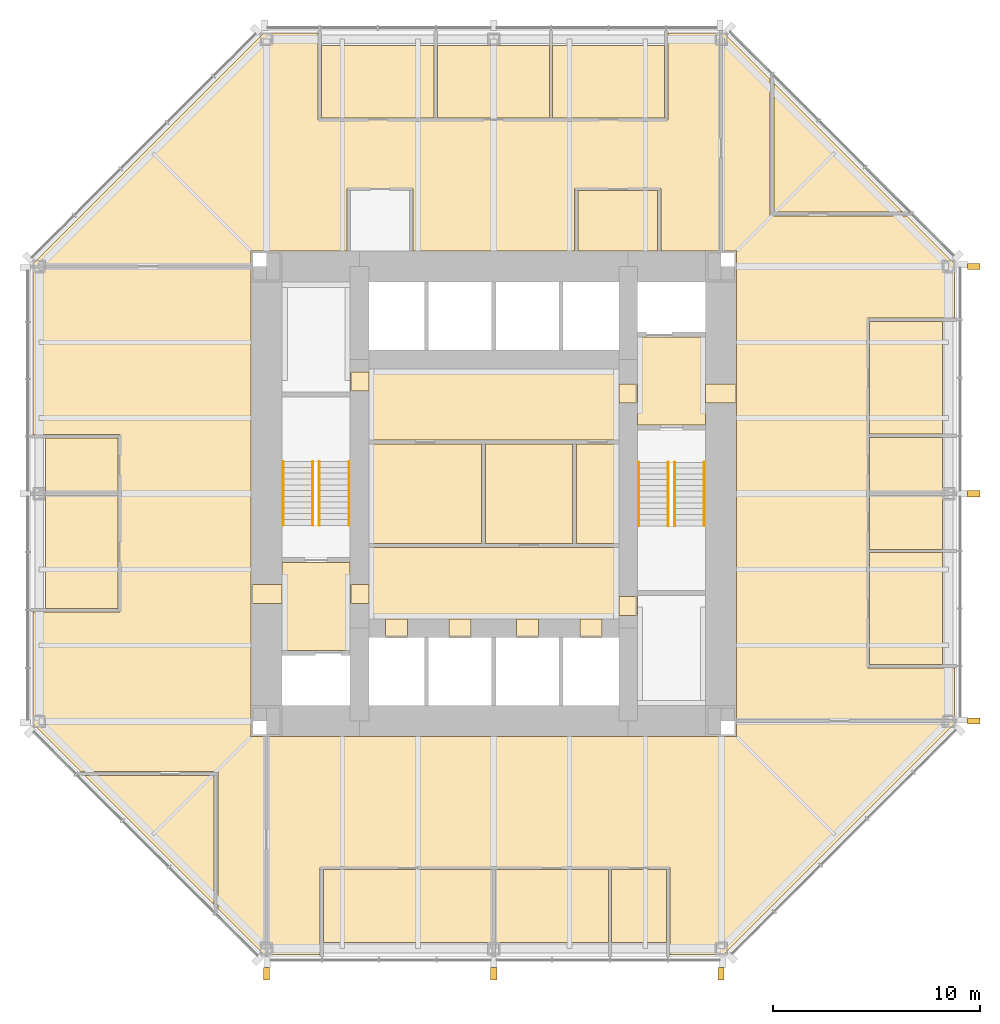
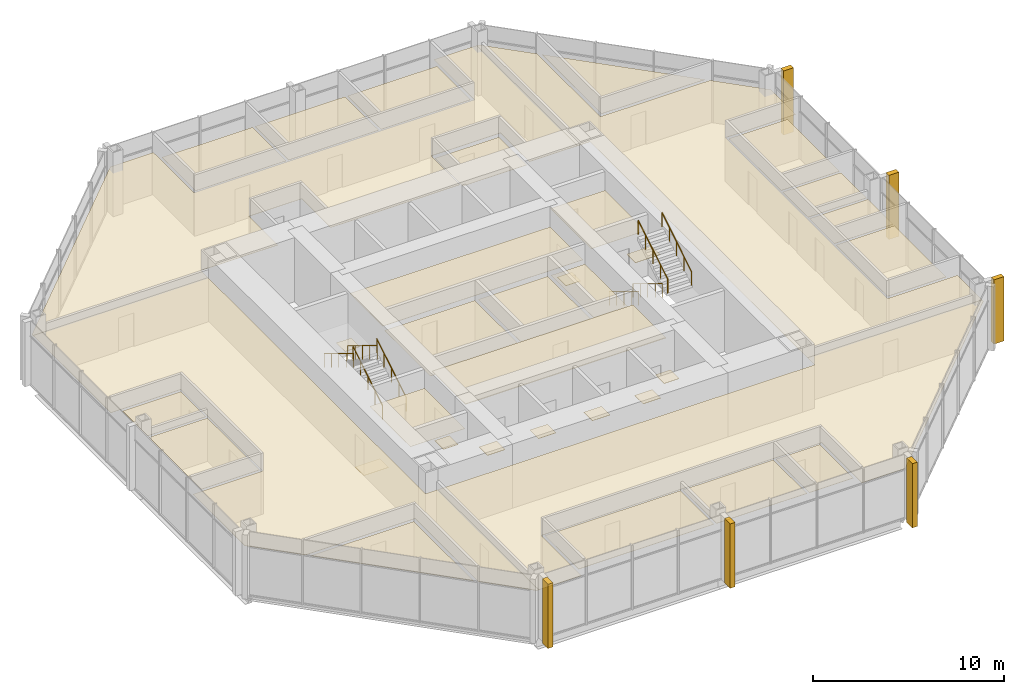
# One storey, part 12 of 12: 42 coverings, 8 railings.
"""IFC4 building model written with IfcOpenShell, lengths in metres."""

from ifc_helpers import new_model, si_unit, direction, frame, origin, origin_2d, place, context, subcontext, project, spatial, polyline, rectangle, circle, outline, extrude, material, layer, layer_set, type_object, element, save


model = new_model("IFC4")

# Units and contexts
model_context = context("Model", 3, precision=1e-05, world=origin(), true_north=direction((0.0, 1.0)))
body_context = subcontext(model_context, "Body", "Model", "MODEL_VIEW")
ifc_project = project(units=[si_unit("LENGTHUNIT", "METRE"), si_unit("AREAUNIT", "SQUARE_METRE"), si_unit("VOLUMEUNIT", "CUBIC_METRE"), si_unit("PLANEANGLEUNIT", "RADIAN"), si_unit("MASSUNIT", "GRAM", prefix="KILO")], contexts=[model_context])

# Site, building, storey
site_placement = place(None, origin())
site = spatial("IfcSite", under=ifc_project, at=site_placement, CompositionType="ELEMENT")
building_placement = place(site_placement, origin())
building = spatial("IfcBuilding", under=site, at=building_placement, Name="Trevanion Tower", CompositionType="ELEMENT")
storey_placement = place(building_placement, frame((0.0, 0.0, 158.199951171875)))
storey = spatial("IfcBuildingStorey", under=building, at=storey_placement, Name="L37", CompositionType="ELEMENT", Elevation=158.199951171875)

# Coverings
ifc_material_1 = material(Name="Fibrous plaster coffers on suspended steel grid", Category="steel")
ifc_layer_1 = layer(ifc_material_1, 0.050048828125)
ifc_layer_set_1 = layer_set([ifc_layer_1], Name="CL1 coffered fibrous plaster ceiling 50")
covering_type_1 = type_object("IfcCoveringType", Name="CL1 coffered fibrous plaster ceiling 50", PredefinedType="CEILING", material=ifc_layer_set_1)
covering_1_placement = place(storey_placement, frame((0.0, 0.0, 3.0)))
element("IfcCovering", 1, at=covering_1_placement, inside=storey, type_object=covering_type_1, Name="CL1 L37-LBS", PredefinedType="CEILING", context=body_context, shape_type="SweptSolid", body=[
    extrude(outline(polyline([(6.050048828125, -6.050048828125), (6.050048828125, -2.60009765625), (-6.050048828125, -2.60009765625), (-6.050048828125, -6.050048828125), (6.050048828125, -6.050048828125)])), origin(), (0.0, 0.0, 1.0), 0.050048828125),
])
ifc_material_2 = material(Name="Mineral fibre acoustic tiles in exposed grid", Category="mineral fibre")
ifc_layer_2 = layer(ifc_material_2, 0.02001953125)
ifc_layer_set_2 = layer_set([ifc_layer_2], Name="CL2 acoustic tile ceiling 20")
covering_type_2 = type_object("IfcCoveringType", Name="CL2 acoustic tile ceiling 20", PredefinedType="CEILING", material=ifc_layer_set_2)
covering_2_placement = place(storey_placement, frame((0.0, 0.0, 2.75)))
element("IfcCovering", 2, at=covering_2_placement, inside=storey, type_object=covering_type_2, Name="CL2 L37-LBN", PredefinedType="CEILING", context=body_context, shape_type="SweptSolid", body=[
    extrude(outline(polyline([(6.050048828125, 2.60009765625), (6.050048828125, 6.050048828125), (-6.050048828125, 6.050048828125), (-6.050048828125, 2.60009765625), (6.050048828125, 2.60009765625)])), origin(), (0.0, 0.0, 1.0), 0.02001953125),
])
covering_3_placement = place(storey_placement, frame((0.0, 0.0, 2.75)))
element("IfcCovering", 3, at=covering_3_placement, inside=storey, type_object=covering_type_2, Name="CL2 L37-MR", PredefinedType="CEILING", context=body_context, shape_type="SweptSolid", body=[
    extrude(outline(polyline([(13.549072265625, 19.875244140625), (19.783203125, 13.64111328125), (13.549072265625, 13.64111328125), (13.549072265625, 19.875244140625)])), origin(), (0.0, 0.0, 1.0), 0.02001953125),
])
covering_4_placement = place(storey_placement, frame((0.0, 0.0, 2.75)))
element("IfcCovering", 4, at=covering_4_placement, inside=storey, type_object=covering_type_2, Name="CL2 L37-MR2", PredefinedType="CEILING", context=body_context, shape_type="SweptSolid", body=[
    extrude(outline(polyline([(-13.549072265625, -19.875244140625), (-19.783203125, -13.64111328125), (-13.549072265625, -13.64111328125), (-13.549072265625, -19.875244140625)])), origin(), (0.0, 0.0, 1.0), 0.02001953125),
])
covering_5_placement = place(storey_placement, frame((0.0, 0.0, 2.75)))
element("IfcCovering", 5, at=covering_5_placement, inside=storey, type_object=covering_type_2, Name="CL2 L37-MR3", PredefinedType="CEILING", context=body_context, shape_type="SweptSolid", body=[
    extrude(outline(polyline([(8.248046875, 18.175048828125), (2.85009765625, 18.175048828125), (2.85009765625, 21.699951171875), (8.248046875, 21.699951171875), (8.248046875, 18.175048828125)])), origin(), (0.0, 0.0, 1.0), 0.02001953125),
])
covering_6_placement = place(storey_placement, frame((0.0, 0.0, 2.75)))
element("IfcCovering", 6, at=covering_6_placement, inside=storey, type_object=covering_type_2, Name="CL2 L37-MR4", PredefinedType="CEILING", context=body_context, shape_type="SweptSolid", body=[
    extrude(outline(polyline([(2.699951171875, 18.175048828125), (-2.73193359375, 18.175048828125), (-2.73193359375, 21.699951171875), (2.699951171875, 21.699951171875), (2.699951171875, 18.175048828125)])), origin(), (0.0, 0.0, 1.0), 0.02001953125),
])
covering_7_placement = place(storey_placement, frame((0.0, 0.0, 2.75)))
element("IfcCovering", 7, at=covering_7_placement, inside=storey, type_object=covering_type_2, Name="CL2 L37-MR5", PredefinedType="CEILING", context=body_context, shape_type="SweptSolid", body=[
    extrude(outline(polyline([(-2.882080078125, 18.175048828125), (-8.345947265625, 18.175048828125), (-8.345947265625, 21.699951171875), (-2.882080078125, 21.699951171875), (-2.882080078125, 18.175048828125)])), origin(), (0.0, 0.0, 1.0), 0.02001953125),
])
covering_8_placement = place(storey_placement, frame((0.0, 0.0, 2.75)))
element("IfcCovering", 8, at=covering_8_placement, inside=storey, type_object=covering_type_2, Name="CL2 L37-TR", PredefinedType="CEILING", context=body_context, shape_type="SweptSolid", body=[
    extrude(outline(polyline([(-8.248046875, -18.175048828125), (-0.074951171875, -18.175048828125), (-0.074951171875, -21.699951171875), (-8.248046875, -21.699951171875), (-8.248046875, -18.175048828125)])), origin(), (0.0, 0.0, 1.0), 0.02001953125),
])
covering_9_placement = place(storey_placement, frame((0.0, 0.0, 2.75)))
element("IfcCovering", 9, at=covering_9_placement, inside=storey, type_object=covering_type_2, Name="CL2 L37-MR6", PredefinedType="CEILING", context=body_context, shape_type="SweptSolid", body=[
    extrude(outline(polyline([(0.074951171875, -18.175048828125), (5.5390625, -18.175048828125), (5.5390625, -21.699951171875), (0.074951171875, -21.699951171875), (0.074951171875, -18.175048828125)])), origin(), (0.0, 0.0, 1.0), 0.02001953125),
])
covering_10_placement = place(storey_placement, frame((0.0, 0.0, 2.75)))
element("IfcCovering", 10, at=covering_10_placement, inside=storey, type_object=covering_type_2, Name="CL2 L37-FR", PredefinedType="CEILING", context=body_context, shape_type="SweptSolid", body=[
    extrude(outline(polyline([(5.68896484375, -18.175048828125), (8.345947265625, -18.175048828125), (8.345947265625, -21.699951171875), (5.68896484375, -21.699951171875), (5.68896484375, -18.175048828125)])), origin(), (0.0, 0.0, 1.0), 0.02001953125),
])
covering_11_placement = place(storey_placement, frame((0.0, 0.0, 2.75)))
element("IfcCovering", 11, at=covering_11_placement, inside=storey, type_object=covering_type_2, Name="CL2 L37-MR7", PredefinedType="CEILING", context=body_context, shape_type="SweptSolid", body=[
    extrude(outline(polyline([(18.175048828125, -8.248046875), (18.175048828125, -2.85009765625), (21.699951171875, -2.85009765625), (21.699951171875, -8.248046875), (18.175048828125, -8.248046875)])), origin(), (0.0, 0.0, 1.0), 0.02001953125),
])
covering_12_placement = place(storey_placement, frame((0.0, 0.0, 2.75)))
element("IfcCovering", 12, at=covering_12_placement, inside=storey, type_object=covering_type_2, Name="CL2 L37-OF", PredefinedType="CEILING", context=body_context, shape_type="SweptSolid", body=[
    extrude(outline(polyline([(18.175048828125, -2.699951171875), (18.175048828125, -0.074951171875), (21.699951171875, -0.074951171875), (21.699951171875, -2.699951171875), (18.175048828125, -2.699951171875)])), origin(), (0.0, 0.0, 1.0), 0.02001953125),
])
covering_13_placement = place(storey_placement, frame((0.0, 0.0, 2.75)))
element("IfcCovering", 13, at=covering_13_placement, inside=storey, type_object=covering_type_2, Name="CL2 L37-OF2", PredefinedType="CEILING", context=body_context, shape_type="SweptSolid", body=[
    extrude(outline(polyline([(18.175048828125, 0.074951171875), (18.175048828125, 2.73193359375), (21.699951171875, 2.73193359375), (21.699951171875, 0.074951171875), (18.175048828125, 0.074951171875)])), origin(), (0.0, 0.0, 1.0), 0.02001953125),
])
covering_14_placement = place(storey_placement, frame((0.0, 0.0, 2.75)))
element("IfcCovering", 14, at=covering_14_placement, inside=storey, type_object=covering_type_2, Name="CL2 L37-MR8", PredefinedType="CEILING", context=body_context, shape_type="SweptSolid", body=[
    extrude(outline(polyline([(18.175048828125, 2.882080078125), (18.175048828125, 8.345947265625), (21.699951171875, 8.345947265625), (21.699951171875, 2.882080078125), (18.175048828125, 2.882080078125)])), origin(), (0.0, 0.0, 1.0), 0.02001953125),
])
covering_15_placement = place(storey_placement, frame((0.0, 0.0, 2.75)))
element("IfcCovering", 15, at=covering_15_placement, inside=storey, type_object=covering_type_2, Name="CL2 L37-OF3", PredefinedType="CEILING", context=body_context, shape_type="SweptSolid", body=[
    extrude(outline(polyline([(-18.175048828125, 2.699951171875), (-18.175048828125, 0.074951171875), (-21.699951171875, 0.074951171875), (-21.699951171875, 2.699951171875), (-18.175048828125, 2.699951171875)])), origin(), (0.0, 0.0, 1.0), 0.02001953125),
])
covering_16_placement = place(storey_placement, frame((0.0, 0.0, 2.75)))
element("IfcCovering", 16, at=covering_16_placement, inside=storey, type_object=covering_type_2, Name="CL2 L37-MR9", PredefinedType="CEILING", context=body_context, shape_type="SweptSolid", body=[
    extrude(outline(polyline([(-18.175048828125, -0.074951171875), (-18.175048828125, -5.5390625), (-21.699951171875, -5.5390625), (-21.699951171875, -0.074951171875), (-18.175048828125, -0.074951171875)])), origin(), (0.0, 0.0, 1.0), 0.02001953125),
])
covering_17_placement = place(storey_placement, frame((0.0, 0.0, 2.75)))
element("IfcCovering", 17, at=covering_17_placement, inside=storey, type_object=covering_type_2, Name="CL2 L37-OP", PredefinedType="CEILING", context=body_context, shape_type="SweptSolid", body=[
    extrude(outline(polyline([(11.75, 11.75), (11.0, 11.75), (11.0, 22.300048828125), (11.124267578125, 22.300048828125), (13.35400390625, 20.0703125), (13.35400390625, 13.446044921875), (19.978271484375, 13.446044921875), (22.300048828125, 11.124267578125), (22.300048828125, 8.51611328125), (18.080078125, 8.51611328125), (18.080078125, -8.41796875), (22.300048828125, -8.41796875), (22.300048828125, -11.0), (11.75, -11.0), (11.75, 11.75)])), origin(), (0.0, 0.0, 1.0), 0.02001953125),
])
covering_18_placement = place(storey_placement, frame((0.0, 0.0, 2.75)))
element("IfcCovering", 18, at=covering_18_placement, inside=storey, type_object=covering_type_2, Name="CL2 L37-OP2", PredefinedType="CEILING", context=body_context, shape_type="SweptSolid", body=[
    extrude(outline(polyline([(8.094970703125, 11.75), (8.094970703125, 14.77001953125), (3.905029296875, 14.77001953125), (3.905029296875, 11.75), (-3.905029296875, 11.75), (-3.905029296875, 14.77001953125), (-7.094970703125, 14.77001953125), (-7.094970703125, 11.75), (-11.75, 11.75), (-11.75, 11.0), (-22.300048828125, 11.0), (-22.300048828125, 11.124267578125), (-11.124267578125, 22.300048828125), (-8.51611328125, 22.300048828125), (-8.51611328125, 18.080078125), (8.41796875, 18.080078125), (8.41796875, 22.300048828125), (11.0, 22.300048828125), (11.0, 11.75), (8.094970703125, 11.75)])), origin(), (0.0, 0.0, 1.0), 0.02001953125),
])
covering_19_placement = place(storey_placement, frame((0.0, 0.0, 2.75)))
element("IfcCovering", 19, at=covering_19_placement, inside=storey, type_object=covering_type_2, Name="CL2 L37-OP3", PredefinedType="CEILING", context=body_context, shape_type="SweptSolid", body=[
    extrude(outline(polyline([(-11.75, -11.75), (-11.0, -11.75), (-11.0, -22.300048828125), (-11.124267578125, -22.300048828125), (-13.35400390625, -20.0703125), (-13.35400390625, -13.446044921875), (-19.978271484375, -13.446044921875), (-22.300048828125, -11.124267578125), (-22.300048828125, -5.708984375), (-18.080078125, -5.708984375), (-18.080078125, 2.8701171875), (-22.300048828125, 2.8701171875), (-22.300048828125, 11.0), (-11.75, 11.0), (-11.75, -11.75)])), origin(), (0.0, 0.0, 1.0), 0.02001953125),
])
covering_20_placement = place(storey_placement, frame((0.0, 0.0, 2.75)))
element("IfcCovering", 20, at=covering_20_placement, inside=storey, type_object=covering_type_2, Name="CL2 L37-OP4", PredefinedType="CEILING", context=body_context, shape_type="SweptSolid", body=[
    extrude(outline(polyline([(11.75, -11.75), (11.75, -11.0), (22.300048828125, -11.0), (22.300048828125, -11.124267578125), (11.124267578125, -22.300048828125), (8.51611328125, -22.300048828125), (8.51611328125, -18.080078125), (-8.41796875, -18.080078125), (-8.41796875, -22.300048828125), (-11.0, -22.300048828125), (-11.0, -11.75), (11.75, -11.75)])), origin(), (0.0, 0.0, 1.0), 0.02001953125),
])
ifc_material_3 = material(Name="Gypsum plasterboard on suspended metal furring", Category="gypsum")
ifc_layer_3 = layer(ifc_material_3, 0.012939453125)
ifc_layer_set_3 = layer_set([ifc_layer_3], Name="CL3 plasterboard ceiling 13")
covering_type_3 = type_object("IfcCoveringType", Name="CL3 plasterboard ceiling 13", PredefinedType="CEILING", material=ifc_layer_set_3)
covering_21_placement = place(storey_placement, frame((0.0, 0.0, 2.699951171875)))
element("IfcCovering", 21, at=covering_21_placement, inside=storey, type_object=covering_type_3, Name="CL3 L37-FV1", PredefinedType="CEILING", context=body_context, shape_type="SweptSolid", body=[
    extrude(outline(polyline([(10.25, 3.324951171875), (10.25, 7.574951171875), (6.949951171875, 7.574951171875), (6.949951171875, 3.324951171875), (10.25, 3.324951171875)])), origin(), (0.0, 0.0, 1.0), 0.01318359375),
])
covering_22_placement = place(storey_placement, frame((0.0, 0.0, 2.699951171875)))
element("IfcCovering", 22, at=covering_22_placement, inside=storey, type_object=covering_type_3, Name="CL3 L37-FV2", PredefinedType="CEILING", context=body_context, shape_type="SweptSolid", body=[
    extrude(outline(polyline([(-10.25, -3.324951171875), (-10.25, -7.574951171875), (-6.949951171875, -7.574951171875), (-6.949951171875, -3.324951171875), (-10.25, -3.324951171875)])), origin(), (0.0, 0.0, 1.0), 0.01318359375),
])
ifc_material_4 = material(Name="Moisture-resistant gypsum board on suspended metal furring", Category="gypsum")
ifc_layer_4 = layer(ifc_material_4, 0.01611328125)
ifc_layer_set_4 = layer_set([ifc_layer_4], Name="CL4 moisture-resistant board ceiling 16")
covering_type_4 = type_object("IfcCoveringType", Name="CL4 moisture-resistant board ceiling 16", PredefinedType="CEILING", material=ifc_layer_set_4)
covering_23_placement = place(storey_placement, frame((0.0, 0.0, 2.60009765625)))
element("IfcCovering", 23, at=covering_23_placement, inside=storey, type_object=covering_type_4, Name="CL4 L37-WCM", PredefinedType="CEILING", context=body_context, shape_type="SweptSolid", body=[
    extrude(outline(polyline([(-0.60009765625, -2.39990234375), (-0.60009765625, 2.39990234375), (-6.050048828125, 2.39990234375), (-6.050048828125, -2.39990234375), (-0.60009765625, -2.39990234375)])), origin(), (0.0, 0.0, 1.0), 0.015869140625),
])
covering_24_placement = place(storey_placement, frame((0.0, 0.0, 2.60009765625)))
element("IfcCovering", 24, at=covering_24_placement, inside=storey, type_object=covering_type_4, Name="CL4 L37-WCF", PredefinedType="CEILING", context=body_context, shape_type="SweptSolid", body=[
    extrude(outline(polyline([(3.800048828125, -2.39990234375), (3.800048828125, 2.39990234375), (-0.39990234375, 2.39990234375), (-0.39990234375, -2.39990234375), (3.800048828125, -2.39990234375)])), origin(), (0.0, 0.0, 1.0), 0.015869140625),
])
covering_25_placement = place(storey_placement, frame((0.0, 0.0, 2.60009765625)))
element("IfcCovering", 25, at=covering_25_placement, inside=storey, type_object=covering_type_4, Name="CL4 L37-WCA", PredefinedType="CEILING", context=body_context, shape_type="SweptSolid", body=[
    extrude(outline(polyline([(6.050048828125, -2.39990234375), (6.050048828125, 2.39990234375), (4.0, 2.39990234375), (4.0, -2.39990234375), (6.050048828125, -2.39990234375)])), origin(), (0.0, 0.0, 1.0), 0.015869140625),
])
covering_26_placement = place(storey_placement, frame((0.0, 0.0, 2.60009765625)))
element("IfcCovering", 26, at=covering_26_placement, inside=storey, type_object=covering_type_4, Name="CL4 L37-PA", PredefinedType="CEILING", context=body_context, shape_type="SweptSolid", body=[
    extrude(outline(polyline([(4.074951171875, 14.675048828125), (7.925048828125, 14.675048828125), (7.925048828125, 11.75), (4.074951171875, 11.75), (4.074951171875, 14.675048828125)])), origin(), (0.0, 0.0, 1.0), 0.015869140625),
])
ifc_material_5 = material(Name="Cast bronze fin on aluminium carrier", Category="aluminium")
covering_type_5 = type_object("IfcCoveringType", Name="F1 bronze fin", PredefinedType="CLADDING", material=ifc_material_5)
for number, where, z_axis, x_axis, name in (
    (27, (23.22509765625, -11.0, -0.18994140625), (0.0, 0.0, 1.0), (0.0, 1.0, 0.0), "F1 L37 east -11.0"),
    (28, (23.22509765625, 0.0, -0.18994140625), (0.0, 0.0, 1.0), (0.0, 1.0, 0.0), "F1 L37 east +0.0"),
    (29, (23.22509765625, 11.0, -0.18994140625), (0.0, 0.0, 1.0), (0.0, 1.0, 0.0), "F1 L37 east +11.0"),
    (30, (-11.0, -23.22509765625, -0.18994140625), (0.0, 0.0, 1.0), (1.0, 0.0, 0.0), "F1 L37 south -11.0"),
    (31, (0.0, -23.22509765625, -0.18994140625), (0.0, 0.0, 1.0), (1.0, 0.0, 0.0), "F1 L37 south +0.0"),
    (32, (11.0, -23.22509765625, -0.18994140625), (0.0, 0.0, 1.0), (1.0, 0.0, 0.0), "F1 L37 south +11.0"),
):
    element("IfcCovering", number, at=place(storey_placement, frame(where, z_axis=z_axis, x_axis=x_axis)), inside=storey, type_object=covering_type_5, Name=name, PredefinedType="CLADDING", context=body_context, shape_type="SweptSolid", body=[
        extrude(rectangle(XDim=0.300048828125, YDim=0.60009765625, at=origin_2d()), origin(), (0.0, 0.0, 1.0), 4.10009765625),
    ])
ifc_material_6 = material(Name="Terrazzo, brass divider strips", Category="stone")
ifc_layer_5 = layer(ifc_material_6, 0.02001953125)
ifc_layer_set_5 = layer_set([ifc_layer_5], Name="FF1 terrazzo flooring")
covering_type_6 = type_object("IfcCoveringType", Name="FF1 terrazzo flooring", PredefinedType="FLOORING", material=ifc_layer_set_5)
covering_27_placement = place(storey_placement, origin())
element("IfcCovering", 33, at=covering_27_placement, inside=storey, type_object=covering_type_6, Name="FF1 threshold 37-001", PredefinedType="FLOORING", context=body_context, shape_type="SweptSolid", body=[
    extrude(outline(polyline([(11.75, 4.392578125), (11.75, 5.3076171875), (10.25, 5.3076171875), (10.25, 4.392578125), (11.75, 4.392578125)])), origin(), (0.0, 0.0, 1.0), 0.02001953125),
])
covering_28_placement = place(storey_placement, origin())
element("IfcCovering", 34, at=covering_28_placement, inside=storey, type_object=covering_type_6, Name="FF1 threshold 37-002", PredefinedType="FLOORING", context=body_context, shape_type="SweptSolid", body=[
    extrude(outline(polyline([(-11.75, -4.392578125), (-11.75, -5.3076171875), (-10.25, -5.3076171875), (-10.25, -4.392578125), (-11.75, -4.392578125)])), origin(), (0.0, 0.0, 1.0), 0.02001953125),
])
covering_29_placement = place(storey_placement, origin())
element("IfcCovering", 35, at=covering_29_placement, inside=storey, type_object=covering_type_6, Name="FF1 threshold 37-003", PredefinedType="FLOORING", context=body_context, shape_type="SweptSolid", body=[
    extrude(outline(polyline([(6.949951171875, 4.392578125), (6.949951171875, 5.3076171875), (6.050048828125, 5.3076171875), (6.050048828125, 4.392578125), (6.949951171875, 4.392578125)])), origin(), (0.0, 0.0, 1.0), 0.02001953125),
])
covering_30_placement = place(storey_placement, origin())
element("IfcCovering", 36, at=covering_30_placement, inside=storey, type_object=covering_type_6, Name="FF1 threshold 37-004", PredefinedType="FLOORING", context=body_context, shape_type="SweptSolid", body=[
    extrude(outline(polyline([(-6.949951171875, -4.392578125), (-6.949951171875, -5.3076171875), (-6.050048828125, -5.3076171875), (-6.050048828125, -4.392578125), (-6.949951171875, -4.392578125)])), origin(), (0.0, 0.0, 1.0), 0.02001953125),
])
covering_31_placement = place(storey_placement, origin())
element("IfcCovering", 37, at=covering_31_placement, inside=storey, type_object=covering_type_6, Name="FF1 threshold 37-009", PredefinedType="FLOORING", context=body_context, shape_type="SweptSolid", body=[
    extrude(outline(polyline([(6.949951171875, -5.889892578125), (6.949951171875, -4.97509765625), (6.050048828125, -4.97509765625), (6.050048828125, -5.889892578125), (6.949951171875, -5.889892578125)])), origin(), (0.0, 0.0, 1.0), 0.02001953125),
])
covering_32_placement = place(storey_placement, origin())
element("IfcCovering", 38, at=covering_32_placement, inside=storey, type_object=covering_type_6, Name="FF1 threshold 37-010", PredefinedType="FLOORING", context=body_context, shape_type="SweptSolid", body=[
    extrude(outline(polyline([(-6.949951171875, 5.889892578125), (-6.949951171875, 4.97509765625), (-6.050048828125, 4.97509765625), (-6.050048828125, 5.889892578125), (-6.949951171875, 5.889892578125)])), origin(), (0.0, 0.0, 1.0), 0.02001953125),
])
covering_33_placement = place(storey_placement, origin())
element("IfcCovering", 39, at=covering_33_placement, inside=storey, type_object=covering_type_6, Name="FF1 threshold 37-011", PredefinedType="FLOORING", context=body_context, shape_type="SweptSolid", body=[
    extrude(outline(polyline([(-5.2333984375, -6.949951171875), (-4.16650390625, -6.949951171875), (-4.16650390625, -6.050048828125), (-5.2333984375, -6.050048828125), (-5.2333984375, -6.949951171875)])), origin(), (0.0, 0.0, 1.0), 0.02001953125),
])
covering_34_placement = place(storey_placement, origin())
element("IfcCovering", 40, at=covering_34_placement, inside=storey, type_object=covering_type_6, Name="FF1 threshold 37-012", PredefinedType="FLOORING", context=body_context, shape_type="SweptSolid", body=[
    extrude(outline(polyline([(-2.158447265625, -6.949951171875), (-1.091552734375, -6.949951171875), (-1.091552734375, -6.050048828125), (-2.158447265625, -6.050048828125), (-2.158447265625, -6.949951171875)])), origin(), (0.0, 0.0, 1.0), 0.02001953125),
])
covering_35_placement = place(storey_placement, origin())
element("IfcCovering", 41, at=covering_35_placement, inside=storey, type_object=covering_type_6, Name="FF1 threshold 37-013", PredefinedType="FLOORING", context=body_context, shape_type="SweptSolid", body=[
    extrude(outline(polyline([(1.091552734375, -6.949951171875), (2.158447265625, -6.949951171875), (2.158447265625, -6.050048828125), (1.091552734375, -6.050048828125), (1.091552734375, -6.949951171875)])), origin(), (0.0, 0.0, 1.0), 0.02001953125),
])
covering_36_placement = place(storey_placement, origin())
element("IfcCovering", 42, at=covering_36_placement, inside=storey, type_object=covering_type_6, Name="FF1 threshold 37-014", PredefinedType="FLOORING", context=body_context, shape_type="SweptSolid", body=[
    extrude(outline(polyline([(4.16650390625, -6.949951171875), (5.2333984375, -6.949951171875), (5.2333984375, -6.050048828125), (4.16650390625, -6.050048828125), (4.16650390625, -6.949951171875)])), origin(), (0.0, 0.0, 1.0), 0.02001953125),
])

# Railings
ifc_material_7 = material(Name="Stainless steel tube 40 mm", Category="steel")
railing_type = type_object("IfcRailingType", Name="HR1 handrail", PredefinedType="HANDRAIL", material=ifc_material_7)
for number, where, name in (
    (43, (7.010009765625, 1.52490234375, 0.1708984375), "HR1 ST1 L37 flight 1"),
    (44, (8.43994140625, 1.52490234375, 0.1708984375), "HR1 ST1 L37 flight 1"),
):
    element("IfcRailing", number, at=place(storey_placement, frame(where)), inside=storey, type_object=railing_type, Name=name, PredefinedType="HANDRAIL", context=body_context, shape_type="SweptSolid", body=[
        extrude(circle(Radius=0.02001953125, at=origin_2d()), frame((0.0, 0.0, 0.8798828125), z_axis=(0.0, -0.853647949592, 0.520850437417), x_axis=(1.0, 0.0, 0.0)), (0.0, 0.0, 1.0), 3.60791015625),
        extrude(circle(Radius=0.01513671875, at=origin_2d()), origin(), (0.0, 0.0, 1.0), 0.85986328125),
        extrude(circle(Radius=0.01513671875, at=origin_2d()), frame((0.0, -0.77001953125, 0.4697265625)), (0.0, 0.0, 1.0), 0.85986328125),
        extrude(circle(Radius=0.01513671875, at=origin_2d()), frame((0.0, -1.5400390625, 0.939453125)), (0.0, 0.0, 1.0), 0.85986328125),
        extrude(circle(Radius=0.01513671875, at=origin_2d()), frame((0.0, -2.309814453125, 1.409423828125)), (0.0, 0.0, 1.0), 0.85986328125),
        extrude(circle(Radius=0.01513671875, at=origin_2d()), frame((0.0, -3.079833984375, 1.879150390625)), (0.0, 0.0, 1.0), 0.85986328125),
    ])
for number, where, name in (
    (45, (8.760009765625, -1.554931640625, 2.220947265625), "HR1 ST1 L37 flight 2"),
    (46, (10.18994140625, -1.554931640625, 2.220947265625), "HR1 ST1 L37 flight 2"),
    (47, (-7.010009765625, -1.52490234375, 0.1708984375), "HR1 ST2 L37 flight 1"),
    (48, (-8.43994140625, -1.52490234375, 0.1708984375), "HR1 ST2 L37 flight 1"),
):
    element("IfcRailing", number, at=place(storey_placement, frame(where)), inside=storey, type_object=railing_type, Name=name, PredefinedType="HANDRAIL", context=body_context, shape_type="SweptSolid", body=[
        extrude(circle(Radius=0.02001953125, at=origin_2d()), frame((0.0, 0.0, 0.8798828125), z_axis=(0.0, 0.853647949592, 0.520850437417), x_axis=(-1.0, 0.0, 0.0)), (0.0, 0.0, 1.0), 3.60791015625),
        extrude(circle(Radius=0.01513671875, at=origin_2d()), origin(), (0.0, 0.0, 1.0), 0.85986328125),
        extrude(circle(Radius=0.01513671875, at=origin_2d()), frame((0.0, 0.77001953125, 0.4697265625)), (0.0, 0.0, 1.0), 0.85986328125),
        extrude(circle(Radius=0.01513671875, at=origin_2d()), frame((0.0, 1.5400390625, 0.939453125)), (0.0, 0.0, 1.0), 0.85986328125),
        extrude(circle(Radius=0.01513671875, at=origin_2d()), frame((0.0, 2.309814453125, 1.409423828125)), (0.0, 0.0, 1.0), 0.85986328125),
        extrude(circle(Radius=0.01513671875, at=origin_2d()), frame((0.0, 3.079833984375, 1.879150390625)), (0.0, 0.0, 1.0), 0.85986328125),
    ])
for number, where, name in (
    (49, (-8.760009765625, 1.554931640625, 2.220947265625), "HR1 ST2 L37 flight 2"),
    (50, (-10.18994140625, 1.554931640625, 2.220947265625), "HR1 ST2 L37 flight 2"),
):
    element("IfcRailing", number, at=place(storey_placement, frame(where)), inside=storey, type_object=railing_type, Name=name, PredefinedType="HANDRAIL", context=body_context, shape_type="SweptSolid", body=[
        extrude(circle(Radius=0.02001953125, at=origin_2d()), frame((0.0, 0.0, 0.8798828125), z_axis=(0.0, -0.853647949592, 0.520850437417), x_axis=(1.0, 0.0, 0.0)), (0.0, 0.0, 1.0), 3.60791015625),
        extrude(circle(Radius=0.01513671875, at=origin_2d()), origin(), (0.0, 0.0, 1.0), 0.85986328125),
        extrude(circle(Radius=0.01513671875, at=origin_2d()), frame((0.0, -0.77001953125, 0.4697265625)), (0.0, 0.0, 1.0), 0.85986328125),
        extrude(circle(Radius=0.01513671875, at=origin_2d()), frame((0.0, -1.5400390625, 0.939453125)), (0.0, 0.0, 1.0), 0.85986328125),
        extrude(circle(Radius=0.01513671875, at=origin_2d()), frame((0.0, -2.309814453125, 1.409423828125)), (0.0, 0.0, 1.0), 0.85986328125),
        extrude(circle(Radius=0.01513671875, at=origin_2d()), frame((0.0, -3.079833984375, 1.879150390625)), (0.0, 0.0, 1.0), 0.85986328125),
    ])

save(model, "model.ifc")
